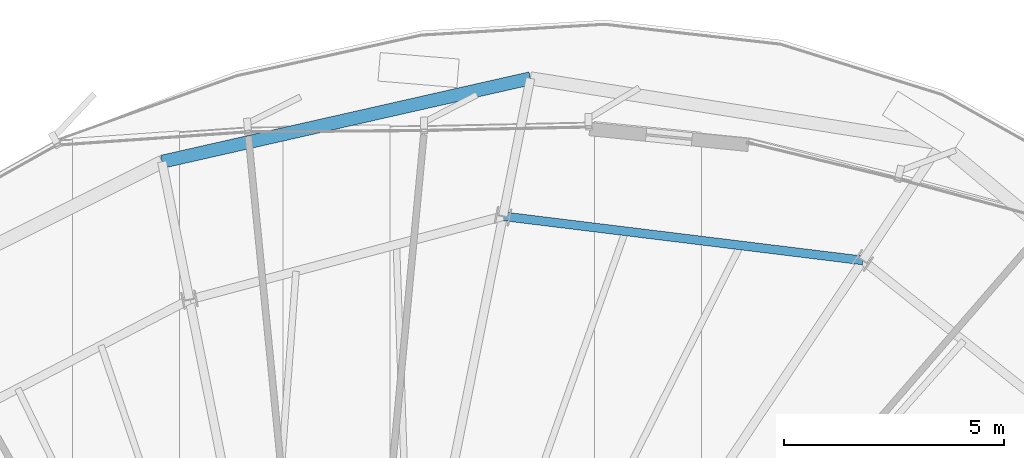
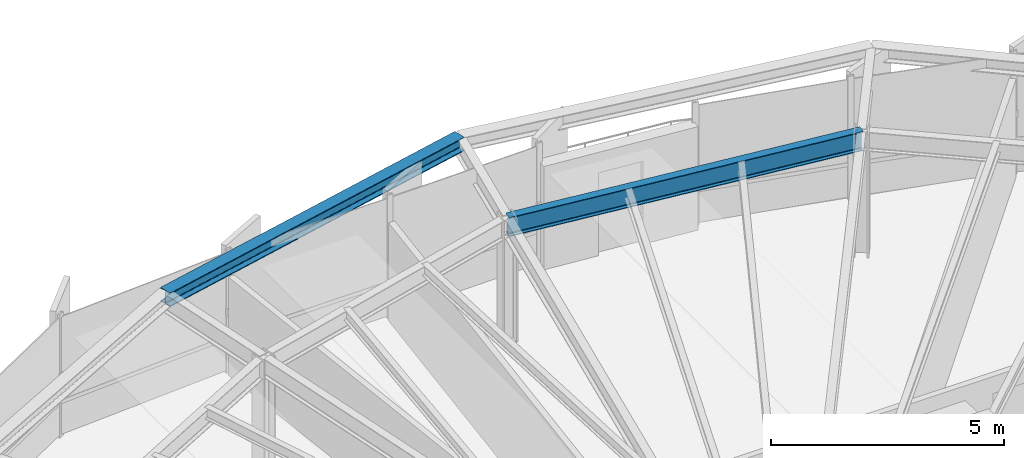
# One storey, part 25 of 37: 2 beams.
"""IFC4 building model written with IfcOpenShell, lengths in metres."""

from ifc_helpers import new_model, si_unit, direction, frame, origin, origin_2d, place, context, subcontext, project, spatial, i_section, extrude, source, transform, mapped, material, material_profile, profile_set, type_object, element, save


model = new_model("IFC4")

# Units and contexts
model_context = context("Model", 3, precision=1e-05, world=origin(), true_north=direction((0.0, 1.0)))
body_context = subcontext(model_context, "Body", "Model", "MODEL_VIEW")
ifc_project = project(units=[si_unit("LENGTHUNIT", "METRE"), si_unit("AREAUNIT", "SQUARE_METRE"), si_unit("VOLUMEUNIT", "CUBIC_METRE"), si_unit("PLANEANGLEUNIT", "RADIAN"), si_unit("MASSUNIT", "GRAM", prefix="KILO"), si_unit("THERMODYNAMICTEMPERATUREUNIT", "KELVIN")], contexts=[model_context])

# Site, building, storey
site_placement = place(None, origin())
site = spatial("IfcSite", under=ifc_project, at=site_placement, CompositionType="ELEMENT")
building_placement = place(site_placement, origin())
building = spatial("IfcBuilding", under=site, at=building_placement, Name="Kethvar Cultural Tower", CompositionType="ELEMENT")
storey_placement = place(building_placement, frame((0.0, 0.0, 200.89990234375)))
storey = spatial("IfcBuildingStorey", under=building, at=storey_placement, Name="L52", CompositionType="ELEMENT", Elevation=200.89990234375)

# Beams
ifc_material = material(Name="Steel S355J2", Category="steel")
ifc_material_profile_1 = material_profile(ifc_material, i_section(OverallWidth=0.199951171875, OverallDepth=0.5, WebThickness=0.01025390625, FlangeThickness=0.01611328125, FilletRadius=0.02099609375, at=origin_2d()), Name="Steel S355J2 — IPE500")
ifc_profile_set_1 = profile_set([ifc_material_profile_1], Name="Steel S355J2 — IPE500")
beam_type_1 = type_object("IfcBeamType", Name="BM-IPE500", PredefinedType="BEAM", material=ifc_profile_set_1)
shared_shape_1 = source(origin(), body_context, "Body", "SweptSolid", [
    extrude(i_section(OverallWidth=0.199951171875, OverallDepth=0.5, WebThickness=0.01025390625, FlangeThickness=0.01611328125, FilletRadius=0.02099609375, at=origin_2d()), origin(), (0.0, 0.0, 1.0), 8.252685546875),
])
beam_1_placement = place(storey_placement, frame((58.748046875, 45.681396484375, 3.008056640625), z_axis=(-0.992540943467, 0.121911753093, 0.0), x_axis=(-0.121911753093, -0.992540943467, 0.0)))
element("IfcBeam", 1, at=beam_1_placement, inside=storey, type_object=beam_type_1, Name="L52 Column Ring Tie Beam CR-03", PredefinedType="BEAM", context=body_context, shape_type="MappedRepresentation", body=[
    mapped(shared_shape_1, transform((0.0, 0.0, 0.0), scale=1.0)),
])
ifc_material_profile_2 = material_profile(ifc_material, i_section(OverallWidth=0.300048828125, OverallDepth=0.360107421875, WebThickness=0.012451171875, FlangeThickness=0.0224609375, FilletRadius=0.027099609375, at=origin_2d()), Name="Steel S355J2 — HEB360")
ifc_profile_set_2 = profile_set([ifc_material_profile_2], Name="Steel S355J2 — HEB360")
beam_type_2 = type_object("IfcBeamType", Name="BM-SP360", PredefinedType="SPANDREL", material=ifc_profile_set_2)
shared_shape_2 = source(origin(), body_context, "Body", "SweptSolid", [
    extrude(i_section(OverallWidth=0.300048828125, OverallDepth=0.360107421875, WebThickness=0.012451171875, FlangeThickness=0.0224609375, FilletRadius=0.027099609375, at=origin_2d()), origin(), (0.0, 0.0, 1.0), 8.596923828125),
])
beam_2_placement = place(storey_placement, frame((51.18115234375, 49.825927734375, 3.078125), z_axis=(-0.975319414912, -0.2207986388, 0.0), x_axis=(0.2207986388, -0.975319414912, 0.0)))
element("IfcBeam", 2, at=beam_2_placement, inside=storey, type_object=beam_type_2, Name="L52 Perimeter Spandrel Beam SP-04", PredefinedType="SPANDREL", context=body_context, shape_type="MappedRepresentation", body=[
    mapped(shared_shape_2, transform((0.0, 0.0, 0.0), scale=1.0)),
])

save(model, "model.ifc")
